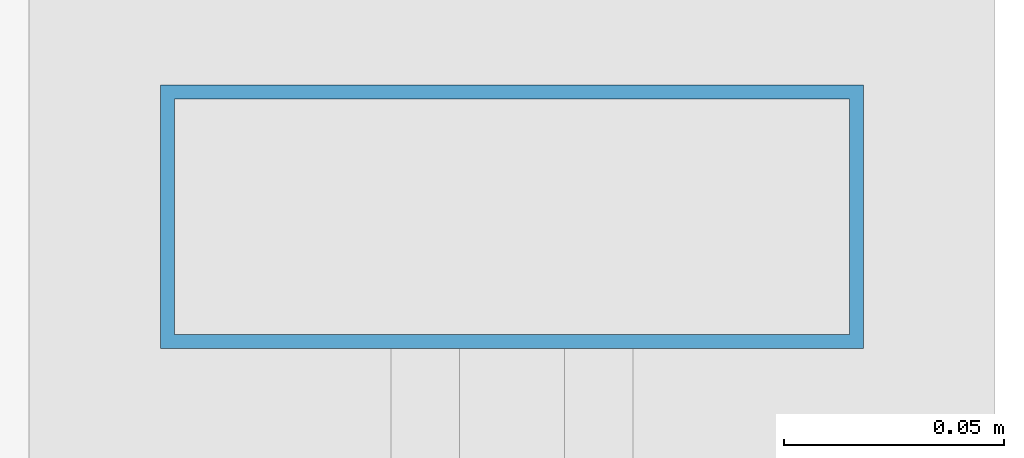
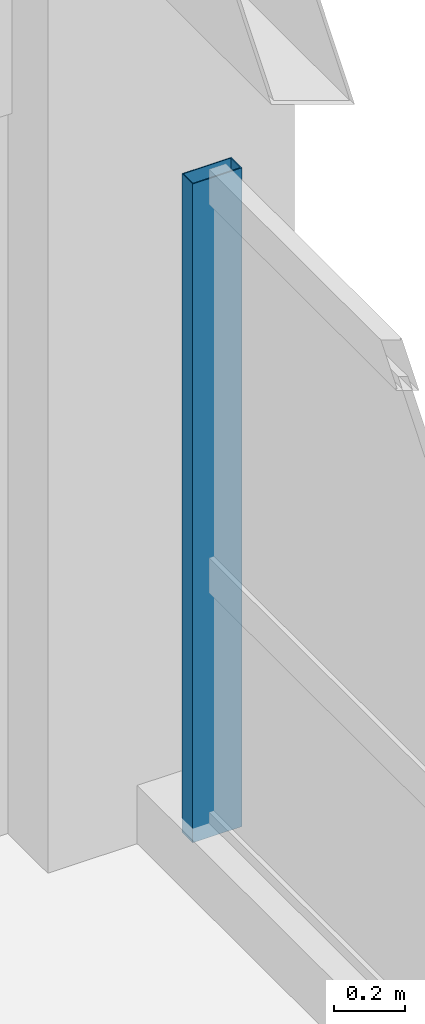
# One storey, part 19 of 26: 1 member, 1 element without a shape of its own.
"""IFC4 building model written with IfcOpenShell, lengths in metres."""

from ifc_helpers import new_model, si_unit, direction, frame, origin, origin_2d, place, context, subcontext, project, spatial, hollow_rectangle, extrude, material, material_profile, profile_set, type_object, element, aggregate, save


model = new_model("IFC4")

# Units and contexts
model_context = context("Model", 3, precision=1e-05, world=origin(), true_north=direction((0.0, 1.0)))
body_context = subcontext(model_context, "Body", "Model", "MODEL_VIEW")
ifc_project = project(units=[si_unit("LENGTHUNIT", "METRE"), si_unit("AREAUNIT", "SQUARE_METRE"), si_unit("VOLUMEUNIT", "CUBIC_METRE"), si_unit("PLANEANGLEUNIT", "RADIAN"), si_unit("MASSUNIT", "GRAM", prefix="KILO")], contexts=[model_context])

# Site, building, storey
site_placement = place(None, origin())
site = spatial("IfcSite", under=ifc_project, at=site_placement, CompositionType="ELEMENT")
building_placement = place(site_placement, origin())
building = spatial("IfcBuilding", under=site, at=building_placement, Name="Kaldorvane Square Convention Centre", CompositionType="ELEMENT")
storey_placement = place(building_placement, frame((0.0, 0.0, 42.0)))
storey = spatial("IfcBuildingStorey", under=building, at=storey_placement, Name="L09", CompositionType="ELEMENT", Elevation=42.0)

# Curtain wall, member
ifc_material = material(Name="Anodized Aluminum and Low-E Insulated Glazing", Category="aluminium")
curtain_wall_type = type_object("IfcCurtainWallType", Name="CW-UNI-HTL-A", PredefinedType="USERDEFINED", material=ifc_material)
curtain_wall_placement = place(storey_placement, origin())
curtain_wall = element("IfcCurtainWall", 1, at=curtain_wall_placement, inside=storey, type_object=curtain_wall_type, Name="Curtain Wall CW-10 (L09)", ObjectType="UNITISED GLAZING", PredefinedType="USERDEFINED")
ifc_material_profile = material_profile(ifc_material, hollow_rectangle(XDim=0.05999755859375, YDim=0.160003662109375, WallThickness=0.003204345703125, at=origin_2d()), Name="CWM-160X60")
ifc_profile_set = profile_set([ifc_material_profile], Name="Anodized Aluminum and Low-E Insulated Glazing")
member_type = type_object("IfcMemberType", Name="CW-MUL-160", PredefinedType="MULLION", material=ifc_profile_set)
member_placement = place(storey_placement, frame((84.0, 116.3699951171875, 0.149993896484375), z_axis=(0.0, 0.0, 1.0), x_axis=(0.0, 1.0, 0.0)))
member = element("IfcMember", 2, at=member_placement, type_object=member_type, Name="CW-10 mullion 4", PredefinedType="MULLION", context=body_context, shape_type="SweptSolid", body=[
    extrude(hollow_rectangle(XDim=0.05999755859375, YDim=0.160003662109375, WallThickness=0.003204345703125, at=origin_2d()), origin(), (0.0, 0.0, 1.0), 2.260009765625),
])
aggregate(curtain_wall, [member])

save(model, "model.ifc")
